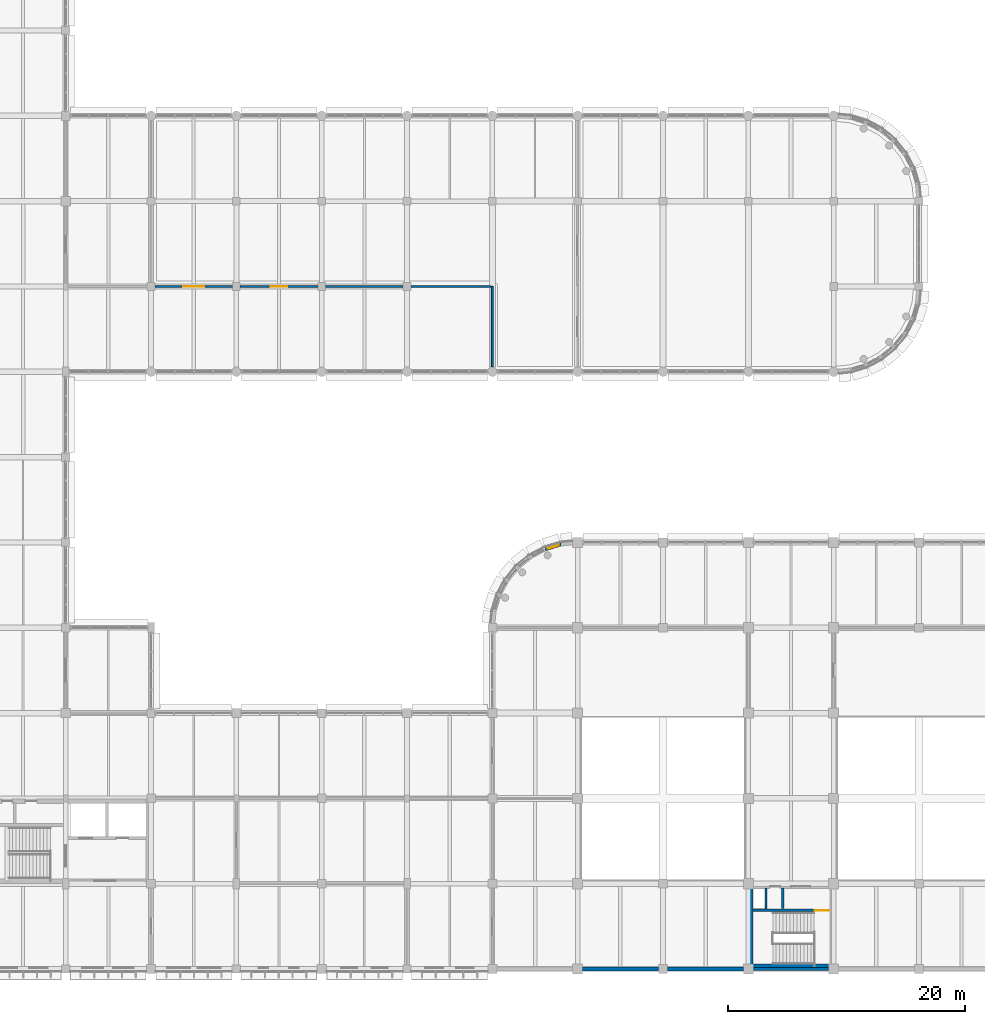
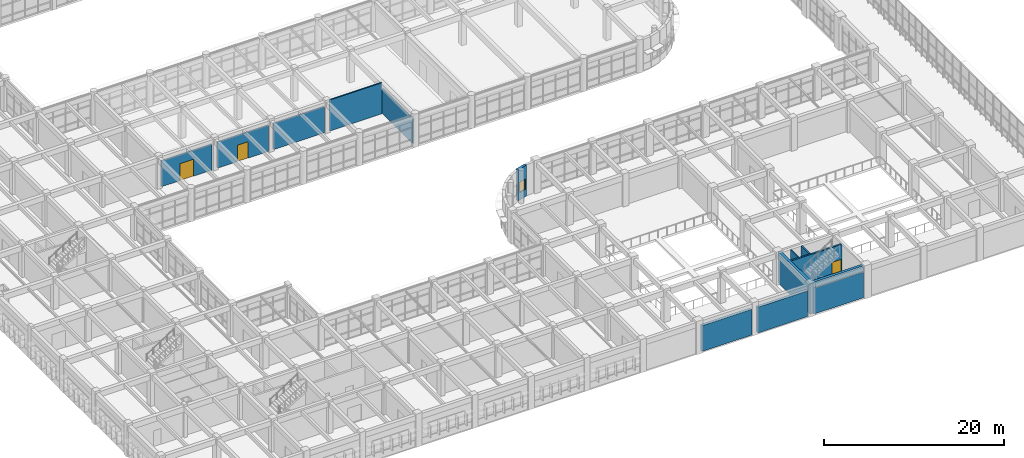
# One storey, part 151 of 171: 14 walls, 3 doors, 1 window, 4 openings.
"""IFC4 building model written with IfcOpenShell, lengths in metres."""

from ifc_helpers import new_model, si_unit, direction, frame, frame_2d, origin, place, context, subcontext, project, spatial, rectangle, extrude, material, layer, layer_set, type_object, element, fill, save


model = new_model("IFC4")

# Units and contexts
model_context = context("Model", 3, precision=1e-05, world=origin(), true_north=direction((0.0, 1.0)))
body_context = subcontext(model_context, "Body", "Model", "MODEL_VIEW")
ifc_project = project(units=[si_unit("LENGTHUNIT", "METRE"), si_unit("AREAUNIT", "SQUARE_METRE"), si_unit("VOLUMEUNIT", "CUBIC_METRE"), si_unit("PLANEANGLEUNIT", "RADIAN"), si_unit("MASSUNIT", "GRAM", prefix="KILO")], contexts=[model_context])

# Site, building, storey
site_placement = place(None, origin())
site = spatial("IfcSite", under=ifc_project, at=site_placement, CompositionType="ELEMENT")
building_placement = place(site_placement, origin())
building = spatial("IfcBuilding", under=site, at=building_placement, Name="Thalmaran Polytechnic", CompositionType="ELEMENT")
storey_placement = place(building_placement, frame((0.0, 0.0, 5.39990234375)))
storey = spatial("IfcBuildingStorey", under=building, at=storey_placement, Name="L01", CompositionType="ELEMENT", Elevation=5.39990234375)

# Walls
ifc_material_1 = material(Name="Precast concrete C40/50", Category="concrete")
ifc_layer_1 = layer(ifc_material_1, 0.360107421875, Name="Precast concrete C40/50")
ifc_layer_set_1 = layer_set([ifc_layer_1], Name="Precast concrete C40/50")
wall_type_1 = type_object("IfcWallType", Name="WL-EW01", PredefinedType="STANDARD", material=ifc_layer_set_1)
for number, where, z_axis, x_axis, name in (
    (1, (78.77490234375, 0.0, 0.0), (0.0, 0.0, 1.0), (-1.0, 0.0, 0.0), "Exterior Precast Facade Wall L01-082"),
    (2, (71.625, 0.0, 0.0), (0.0, 0.0, 1.0), (-1.0, 0.0, 0.0), "Exterior Precast Facade Wall L01-083"),
):
    element("IfcWall", number, at=place(storey_placement, frame(where, z_axis=z_axis, x_axis=x_axis)), inside=storey, type_object=wall_type_1, Name=name, PredefinedType="STANDARD", context=body_context, shape_type="SweptSolid", body=[
        extrude(rectangle(XDim=6.39990234375, YDim=0.360107421875, at=frame_2d((3.199951171875, 0.0))), origin(), (0.0, 0.0, 1.0), 3.489990234375),
    ])

# Wall, opening, window
ifc_layer_2 = layer(ifc_material_1, 0.330078125, Name="Precast concrete C40/50")
ifc_layer_set_2 = layer_set([ifc_layer_2], Name="Precast concrete C40/50")
wall_type_2 = type_object("IfcWallType", Name="WL-EW02", PredefinedType="STANDARD", material=ifc_layer_set_2)
wall_1_placement = place(storey_placement, frame((62.044677734375, 35.451904296875, 0.0), z_axis=(0.0, 0.0, 1.0), x_axis=(0.956945806495, 0.290266641956, 0.0)))
wall_1 = element("IfcWall", 3, at=wall_1_placement, inside=storey, type_object=wall_type_2, Name="Exterior Precast Facade Wall L01-186", PredefinedType="STANDARD", context=body_context, shape_type="SweptSolid", body=[
    extrude(rectangle(XDim=1.411376953125, YDim=0.330078125, at=frame_2d((0.70556640625, 0.0))), origin(), (0.0, 0.0, 1.0), 4.210205078125),
])
opening_1_placement = place(wall_1_placement, frame((0.2255859375, 0.0, 1.0)))
opening_1 = element("IfcOpeningElement", 4, at=opening_1_placement, cuts=wall_1, Name="Opening CR01", PredefinedType="OPENING", context=body_context, shape_type="SweptSolid", body=[
    extrude(rectangle(XDim=0.9599609375, YDim=1.39990234375, at=frame_2d((0.47998046875, 0.699951171875))), frame((0.0, 0.175048828125, 0.0), z_axis=(0.0, -1.0, 0.0), x_axis=(1.0, 0.0, 0.0)), (0.0, 0.0, 1.0), 0.35009765625),
])
ifc_material_2 = material(Name="Thermally broken aluminium and double low-E glass", Category="aluminium")
window_type = type_object("IfcWindowType", Name="WN-CR01", PartitioningType="SINGLE_PANEL", PredefinedType="WINDOW", material=ifc_material_2)
window_placement = place(opening_1_placement, origin())
window = element("IfcWindow", 5, at=window_placement, inside=storey, type_object=window_type, Name="Curved Prow Ribbon Window W-0178", OverallHeight=1.39990234375, OverallWidth=0.9599609375, PartitioningType="SINGLE_PANEL", PredefinedType="WINDOW", context=body_context, shape_type="SweptSolid", body=[
    extrude(rectangle(XDim=0.9599609375, YDim=1.39990234375, at=frame_2d((0.47998046875, 0.699951171875))), frame((0.0, -0.010009765625, 0.0), z_axis=(0.0, -1.0, 0.0), x_axis=(1.0, 0.0, 0.0)), (0.0, 0.0, 1.0), 0.06005859375),
])
fill(opening_1, window)

# Walls
ifc_material_3 = material(Name="Translucent architectural glass block", Category="glass")
ifc_layer_3 = layer(ifc_material_3, 0.239990234375, Name="Translucent architectural glass block")
ifc_layer_set_3 = layer_set([ifc_layer_3], Name="Translucent architectural glass block")
wall_type_3 = type_object("IfcWallType", Name="WL-GB01", PredefinedType="STANDARD", material=ifc_layer_set_3)
wall_2_placement = place(storey_placement, frame((85.97509765625, 0.0, 0.0), z_axis=(0.0, 0.0, 1.0), x_axis=(-1.0, 0.0, 0.0)))
element("IfcWall", 6, at=wall_2_placement, inside=storey, type_object=wall_type_3, Name="Streamline Glass-Block Stair Strip L01-081", PredefinedType="STANDARD", context=body_context, shape_type="SweptSolid", body=[
    extrude(rectangle(XDim=6.35009765625, YDim=0.239990234375, at=frame_2d((3.175048828125, 0.0))), origin(), (0.0, 0.0, 1.0), 3.489990234375),
])
ifc_material_4 = material(Name="Autoclaved aerated masonry", Category="masonry")
ifc_layer_4 = layer(ifc_material_4, 0.22998046875, Name="Autoclaved aerated masonry")
ifc_layer_set_4 = layer_set([ifc_layer_4], Name="Autoclaved aerated masonry")
wall_type_4 = type_object("IfcWallType", Name="WL-IW02", PredefinedType="PARTITIONING", material=ifc_layer_set_4)
wall_3_placement = place(storey_placement, frame((82.10009765625, 5.10009765625, 0.0), z_axis=(0.0, 0.0, 1.0), x_axis=(0.0, 1.0, 0.0)))
element("IfcWall", 7, at=wall_3_placement, inside=storey, type_object=wall_type_4, Name="Core C7 Riser Partition L01", PredefinedType="PARTITIONING", context=body_context, shape_type="SweptSolid", body=[
    extrude(rectangle(XDim=1.739990234375, YDim=0.22998046875, at=frame_2d((0.8701171875, 0.0))), origin(), (0.0, 0.0, 1.0), 4.210205078125),
])
ifc_layer_5 = layer(ifc_material_4, 0.179931640625, Name="Autoclaved aerated masonry")
ifc_layer_set_5 = layer_set([ifc_layer_5], Name="Autoclaved aerated masonry")
wall_type_5 = type_object("IfcWallType", Name="WL-IW04", PredefinedType="PARTITIONING", material=ifc_layer_set_5)
wall_4_placement = place(storey_placement, frame((80.679931640625, 5.080078125, 0.0), z_axis=(0.0, 0.0, 1.0), x_axis=(0.0, 1.0, 0.0)))
element("IfcWall", 8, at=wall_4_placement, inside=storey, type_object=wall_type_5, Name="Core C7 Riser Shaft Enclosure Wall L01", PredefinedType="PARTITIONING", context=body_context, shape_type="SweptSolid", body=[
    extrude(rectangle(XDim=1.760009765625, YDim=0.179931640625, at=frame_2d((0.8798828125, 0.0))), origin(), (0.0, 0.0, 1.0), 4.210205078125),
])

# Wall, opening, door
ifc_material_5 = material(Name="Gypsum acoustic partition")
ifc_layer_6 = layer(ifc_material_5, 0.159912109375, Name="Gypsum acoustic partition")
ifc_layer_set_6 = layer_set([ifc_layer_6], Name="Gypsum acoustic partition")
wall_type_6 = type_object("IfcWallType", Name="WL-IW05", PredefinedType="PARTITIONING", material=ifc_layer_set_6)
wall_5_placement = place(storey_placement, frame((29.1298828125, 57.60009765625, 0.0), z_axis=(0.0, 0.0, 1.0), x_axis=(1.0, 0.0, 0.0)))
wall_5 = element("IfcWall", 9, at=wall_5_placement, inside=storey, type_object=wall_type_6, Name="Interior Partition IW05 L01-042", PredefinedType="PARTITIONING", context=body_context, shape_type="SweptSolid", body=[
    extrude(rectangle(XDim=6.5400390625, YDim=0.159912109375, at=frame_2d((3.27001953125, 0.0))), origin(), (0.0, 0.0, 1.0), 3.510009765625),
])
opening_2_placement = place(wall_5_placement, frame((2.389892578125, 0.0, 0.0)))
opening_2 = element("IfcOpeningElement", 10, at=opening_2_placement, cuts=wall_5, Name="Opening D-L01-001-1-SU-1", PredefinedType="OPENING", context=body_context, shape_type="SweptSolid", body=[
    extrude(rectangle(XDim=1.760009765625, YDim=2.300048828125, at=frame_2d((0.8798828125, 1.14990234375))), frame((0.0, 0.08984375, 0.0), z_axis=(0.0, -1.0, 0.0), x_axis=(1.0, 0.0, 0.0)), (0.0, 0.0, 1.0), 0.179931640625),
])
ifc_material_6 = material(Name="Acoustic hardwood and vision glass", Category="wood")
door_type_1 = type_object("IfcDoorType", Name="DR-ZD02", OperationType="NOTDEFINED", PredefinedType="DOOR", material=ifc_material_6)
door_1_placement = place(opening_2_placement, origin())
door_1 = element("IfcDoor", 11, at=door_1_placement, inside=storey, type_object=door_type_1, Name="Student Union Commons Door 1", OperationType="SINGLE_SWING_RIGHT", OverallHeight=2.300048828125, OverallWidth=1.760009765625, PredefinedType="DOOR", context=body_context, shape_type="SweptSolid", body=[
    extrude(rectangle(XDim=1.760009765625, YDim=2.300048828125, at=frame_2d((0.8798828125, 1.14990234375))), frame((0.0, 0.02490234375, 0.0), z_axis=(0.0, -1.0, 0.0), x_axis=(1.0, 0.0, 0.0)), (0.0, 0.0, 1.0), 0.050048828125),
])
fill(opening_2, door_1)

wall_6_placement = place(storey_placement, frame((36.330078125, 57.60009765625, 0.0), z_axis=(0.0, 0.0, 1.0), x_axis=(1.0, 0.0, 0.0)))
wall_6 = element("IfcWall", 12, at=wall_6_placement, inside=storey, type_object=wall_type_6, Name="Interior Partition IW05 L01-047", PredefinedType="PARTITIONING", context=body_context, shape_type="SweptSolid", body=[
    extrude(rectangle(XDim=6.5400390625, YDim=0.159912109375, at=frame_2d((3.27001953125, 0.0))), origin(), (0.0, 0.0, 1.0), 3.550048828125),
])
opening_3_placement = place(wall_6_placement, frame((2.580078125, 0.0, 0.0)))
opening_3 = element("IfcOpeningElement", 13, at=opening_3_placement, cuts=wall_6, Name="Opening D-L01-002-1-SU-2", PredefinedType="OPENING", context=body_context, shape_type="SweptSolid", body=[
    extrude(rectangle(XDim=1.3798828125, YDim=2.219970703125, at=frame_2d((0.68994140625, 1.10986328125))), frame((0.0, 0.08984375, 0.0), z_axis=(0.0, -1.0, 0.0), x_axis=(1.0, 0.0, 0.0)), (0.0, 0.0, 1.0), 0.179931640625),
])
door_type_2 = type_object("IfcDoorType", Name="DR-ZD04", OperationType="NOTDEFINED", PredefinedType="DOOR", material=ifc_material_6)
door_2_placement = place(opening_3_placement, origin())
door_2 = element("IfcDoor", 14, at=door_2_placement, inside=storey, type_object=door_type_2, Name="Student Union Commons Door 2", OperationType="SINGLE_SWING_LEFT", OverallHeight=2.219970703125, OverallWidth=1.3798828125, PredefinedType="DOOR", context=body_context, shape_type="SweptSolid", body=[
    extrude(rectangle(XDim=1.3798828125, YDim=2.219970703125, at=frame_2d((0.68994140625, 1.10986328125))), frame((0.0, 0.02490234375, 0.0), z_axis=(0.0, -1.0, 0.0), x_axis=(1.0, 0.0, 0.0)), (0.0, 0.0, 1.0), 0.050048828125),
])
fill(opening_3, door_2)

# Walls
wall_7_placement = place(storey_placement, frame((43.530029296875, 57.60009765625, 0.0), z_axis=(0.0, 0.0, 1.0), x_axis=(1.0, 0.0, 0.0)))
element("IfcWall", 15, at=wall_7_placement, inside=storey, type_object=wall_type_6, Name="Interior Partition IW05 L01-055", PredefinedType="PARTITIONING", context=body_context, shape_type="SweptSolid", body=[
    extrude(rectangle(XDim=6.5400390625, YDim=0.159912109375, at=frame_2d((3.27001953125, 0.0))), origin(), (0.0, 0.0, 1.0), 3.56005859375),
])
wall_8_placement = place(storey_placement, frame((57.60009765625, 50.804931640625, 0.0), z_axis=(0.0, 0.0, 1.0), x_axis=(0.0, 1.0, 0.0)))
element("IfcWall", 16, at=wall_8_placement, inside=storey, type_object=wall_type_6, Name="Interior Partition IW05 L01-065", PredefinedType="PARTITIONING", context=body_context, shape_type="SweptSolid", body=[
    extrude(rectangle(XDim=6.795166015625, YDim=0.159912109375, at=frame_2d((3.3974609375, 0.0))), origin(), (0.0, 0.0, 1.0), 3.340087890625),
])
wall_9_placement = place(storey_placement, frame((50.72998046875, 57.60009765625, 0.0), z_axis=(0.0, 0.0, 1.0), x_axis=(1.0, 0.0, 0.0)))
element("IfcWall", 17, at=wall_9_placement, inside=storey, type_object=wall_type_6, Name="Interior Partition IW05 L01-066", PredefinedType="PARTITIONING", context=body_context, shape_type="SweptSolid", body=[
    extrude(rectangle(XDim=6.75, YDim=0.159912109375, at=frame_2d((3.375, 0.0))), origin(), (0.0, 0.0, 1.0), 4.210205078125),
])
ifc_material_7 = material(Name="Concrete C50/60", Category="concrete")
ifc_layer_7 = layer(ifc_material_7, 0.3798828125, Name="Concrete C50/60")
ifc_layer_set_7 = layer_set([ifc_layer_7], Name="Concrete C50/60")
wall_type_7 = type_object("IfcWallType", Name="WL-SW02", PredefinedType="SHEAR", material=ifc_layer_set_7)
wall_10_placement = place(storey_placement, frame((79.610107421875, 0.219970703125, 0.0), z_axis=(0.0, 0.0, 1.0), x_axis=(1.0, 0.0, 0.0)))
element("IfcWall", 18, at=wall_10_placement, inside=storey, type_object=wall_type_7, Name="Core C7 South Shear Wall L01", PredefinedType="SHEAR", context=body_context, shape_type="SweptSolid", body=[
    extrude(rectangle(XDim=6.4599609375, YDim=0.3798828125, at=frame_2d((3.22998046875, 0.0))), origin(), (0.0, 0.0, 1.0), 4.210205078125),
])
wall_11_placement = place(storey_placement, frame((79.419921875, 7.169921875, 0.0), z_axis=(0.0, 0.0, 1.0), x_axis=(0.0, -1.0, 0.0)))
element("IfcWall", 19, at=wall_11_placement, inside=storey, type_object=wall_type_7, Name="Core C7 West Shear Wall L01", PredefinedType="SHEAR", context=body_context, shape_type="SweptSolid", body=[
    extrude(rectangle(XDim=7.139892578125, YDim=0.3798828125, at=frame_2d((3.56982421875, 0.0))), origin(), (0.0, 0.0, 1.0), 4.210205078125),
])

# Wall, opening, door
wall_12_placement = place(storey_placement, frame((79.610107421875, 4.9599609375, 0.0), z_axis=(0.0, 0.0, 1.0), x_axis=(1.0, 0.0, 0.0)))
wall_12 = element("IfcWall", 20, at=wall_12_placement, inside=storey, type_object=wall_type_7, Name="Core C7 Stair Partition L01", PredefinedType="SHEAR", context=body_context, shape_type="SweptSolid", body=[
    extrude(rectangle(XDim=6.4599609375, YDim=0.219970703125, at=frame_2d((3.22998046875, 0.0))), origin(), (0.0, 0.0, 1.0), 4.210205078125),
])
opening_4_placement = place(wall_12_placement, frame((5.199951171875, 0.0, 0.0)))
opening_4 = element("IfcOpeningElement", 21, at=opening_4_placement, cuts=wall_12, Name="Opening SD-ST7-L01", PredefinedType="OPENING", context=body_context, shape_type="SweptSolid", body=[
    extrude(rectangle(XDim=1.199951171875, YDim=2.199951171875, at=frame_2d((0.60009765625, 1.10009765625))), frame((0.0, 0.119873046875, 0.0), z_axis=(0.0, -1.0, 0.0), x_axis=(1.0, 0.0, 0.0)), (0.0, 0.0, 1.0), 0.239990234375),
])
ifc_material_8 = material(Name="Powder-coated fire-rated steel", Category="steel")
door_type_3 = type_object("IfcDoorType", Name="DR-FD04", OperationType="NOTDEFINED", PredefinedType="DOOR", material=ifc_material_8)
door_3_placement = place(opening_4_placement, origin())
door_3 = element("IfcDoor", 22, at=door_3_placement, inside=storey, type_object=door_type_3, Name="Exit Stair Fire Door ST7 L01", OperationType="DOUBLE_DOOR_SINGLE_SWING", OverallHeight=2.199951171875, OverallWidth=1.199951171875, PredefinedType="DOOR", context=body_context, shape_type="SweptSolid", body=[
    extrude(rectangle(XDim=1.199951171875, YDim=2.199951171875, at=frame_2d((0.60009765625, 1.10009765625))), frame((0.0, 0.02490234375, 0.0), z_axis=(0.0, -1.0, 0.0), x_axis=(1.0, 0.0, 0.0)), (0.0, 0.0, 1.0), 0.050048828125),
])
fill(opening_4, door_3)

save(model, "model.ifc")
